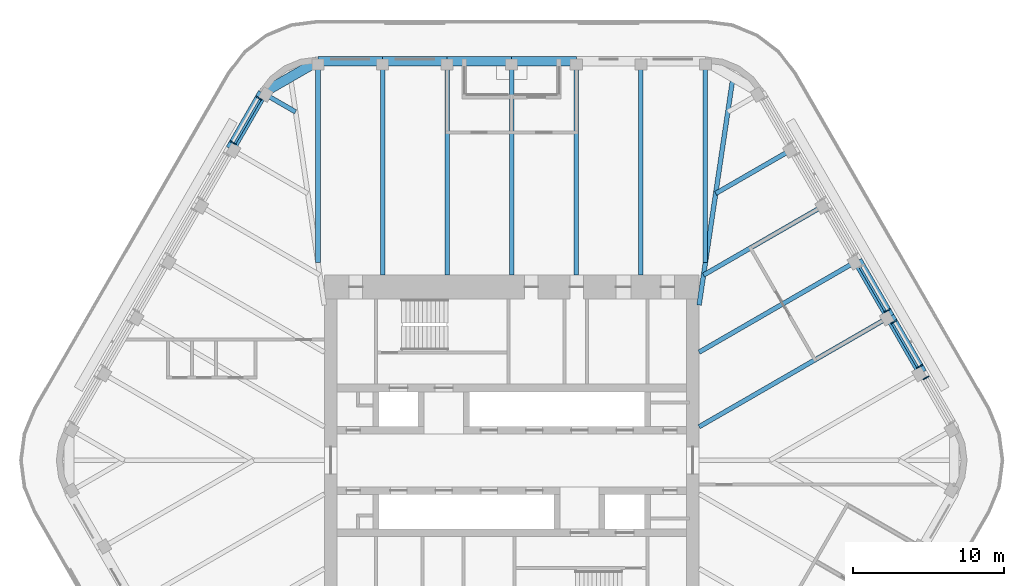
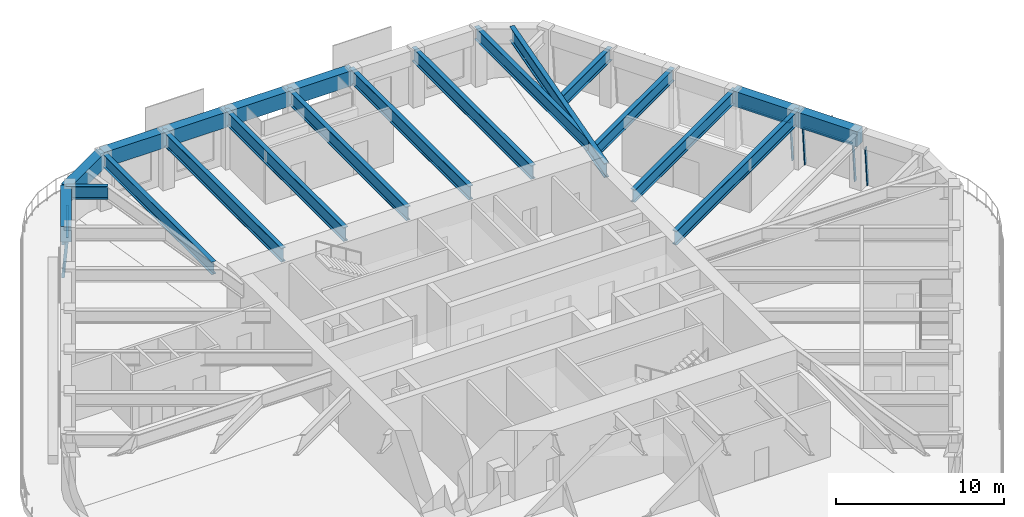
# One storey, part 9 of 20: 21 beams, 9 members, 4 elements without a shape of their own.
"""IFC4 building model written with IfcOpenShell, lengths in metres."""

from ifc_helpers import new_model, si_unit, direction, frame, origin, origin_2d, place, context, subcontext, project, spatial, rectangle, i_section, extrude, material, material_profile, profile_set, type_object, element, aggregate, save


model = new_model("IFC4")

# Units and contexts
model_context = context("Model", 3, precision=1e-05, world=origin(), true_north=direction((0.0, 1.0)))
body_context = subcontext(model_context, "Body", "Model", "MODEL_VIEW")
ifc_project = project(units=[si_unit("LENGTHUNIT", "METRE"), si_unit("AREAUNIT", "SQUARE_METRE"), si_unit("VOLUMEUNIT", "CUBIC_METRE"), si_unit("PLANEANGLEUNIT", "RADIAN"), si_unit("MASSUNIT", "GRAM", prefix="KILO")], contexts=[model_context])

# Site, building, storey
site_placement = place(None, origin())
site = spatial("IfcSite", under=ifc_project, at=site_placement, CompositionType="ELEMENT")
building_placement = place(site_placement, origin())
building = spatial("IfcBuilding", under=site, at=building_placement, Name="Tarfa Lantern Tower", CompositionType="ELEMENT")
storey_placement = place(building_placement, frame((0.0, 0.0, 378.699951171875)))
storey = spatial("IfcBuildingStorey", under=building, at=storey_placement, Name="L86", CompositionType="ELEMENT", Elevation=378.699951171875)

# Curtain wall, member
ifc_material_1 = material(Name="Aluminium framed curtain wall", Category="aluminium")
curtain_wall_type = type_object("IfcCurtainWallType", Name="CW4 CANTED GLAZING EXECUTIVE ZONE 2900", PredefinedType="USERDEFINED", material=ifc_material_1)
curtain_wall_1_placement = place(storey_placement, origin())
curtain_wall_1 = element("IfcCurtainWall", 1, at=curtain_wall_1_placement, inside=storey, type_object=curtain_wall_type, Name="CW4 NE L86", ObjectType="CURTAIN WALL", PredefinedType="USERDEFINED")
ifc_material_2 = material(Name="Aluminium mullion", Category="aluminium")
ifc_material_profile_1 = material_profile(ifc_material_2, rectangle(XDim=0.06494140625, YDim=0.199951171875, at=origin_2d()), Name="AL MULLION 65x200")
ifc_profile_set_1 = profile_set([ifc_material_profile_1], Name="Aluminium mullion")
member_type_1 = type_object("IfcMemberType", Name="CWM1 MULLION 65x200", PredefinedType="MULLION", material=ifc_profile_set_1)
member_1_placement = place(storey_placement, frame((27.577880859375, 5.53369140625, 0.0), z_axis=(-0.074393603155, -0.042941967097, 0.996303959277), x_axis=(0.499919672301, -0.866071776036, 0.0)))
member_1 = element("IfcMember", 2, at=member_1_placement, type_object=member_type_1, Name="CW4 mullion 2", PredefinedType="MULLION", context=body_context, shape_type="SweptSolid", body=[
    extrude(rectangle(XDim=0.06494140625, YDim=0.199951171875, at=origin_2d()), origin(), (0.0, 0.0, 1.0), 2.910888671875),
])
aggregate(curtain_wall_1, [member_1])

# Curtain wall, members
curtain_wall_2_placement = place(storey_placement, origin())
curtain_wall_2 = element("IfcCurtainWall", 3, at=curtain_wall_2_placement, inside=storey, type_object=curtain_wall_type, Name="CW4 NE L86", ObjectType="CURTAIN WALL", PredefinedType="USERDEFINED")
member_2_placement = place(storey_placement, frame((27.145263671875, 6.282958984375, 0.0), z_axis=(-0.074310195522, -0.042942234884, 0.996310172238), x_axis=(0.500342721131, -0.865827443207, 0.0)))
member_2 = element("IfcMember", 4, at=member_2_placement, type_object=member_type_1, Name="CW4 mullion 1", PredefinedType="MULLION", context=body_context, shape_type="SweptSolid", body=[
    extrude(rectangle(XDim=0.06494140625, YDim=0.199951171875, at=origin_2d()), origin(), (0.0, 0.0, 1.0), 2.910888671875),
])
member_3_placement = place(storey_placement, frame((25.436767578125, 9.2421875, 0.0), z_axis=(-0.074393603155, -0.042941967097, 0.996303959277), x_axis=(0.499919672301, -0.866071776036, 0.0)))
member_3 = element("IfcMember", 5, at=member_3_placement, type_object=member_type_1, Name="CW4 mullion 2", PredefinedType="MULLION", context=body_context, shape_type="SweptSolid", body=[
    extrude(rectangle(XDim=0.06494140625, YDim=0.199951171875, at=origin_2d()), origin(), (0.0, 0.0, 1.0), 2.910888671875),
])

# Curtain wall, member
curtain_wall_3_placement = place(storey_placement, origin())
curtain_wall_3 = element("IfcCurtainWall", 6, at=curtain_wall_3_placement, inside=storey, type_object=curtain_wall_type, Name="CW4 NE L86", ObjectType="CURTAIN WALL", PredefinedType="USERDEFINED")
member_4_placement = place(storey_placement, frame((25.00439453125, 9.9912109375, 0.0), z_axis=(-0.074393603155, -0.042941967097, 0.996303959277), x_axis=(0.499919672301, -0.866071776036, 0.0)))
member_4 = element("IfcMember", 7, at=member_4_placement, type_object=member_type_1, Name="CW4 mullion 1", PredefinedType="MULLION", context=body_context, shape_type="SweptSolid", body=[
    extrude(rectangle(XDim=0.06494140625, YDim=0.199951171875, at=origin_2d()), origin(), (0.0, 0.0, 1.0), 2.910888671875),
])

# Curtain wall, members
curtain_wall_4_placement = place(storey_placement, origin())
curtain_wall_4 = element("IfcCurtainWall", 8, at=curtain_wall_4_placement, inside=storey, type_object=curtain_wall_type, Name="CW4 NW L86", ObjectType="CURTAIN WALL", PredefinedType="USERDEFINED")
member_5_placement = place(storey_placement, frame((-16.872802734375, 24.075439453125, 0.0), z_axis=(0.074393603155, -0.042941967097, 0.996303959277), x_axis=(0.499919672301, 0.866071776036, 0.0)))
member_5 = element("IfcMember", 9, at=member_5_placement, type_object=member_type_1, Name="CW4 mullion 1", PredefinedType="MULLION", context=body_context, shape_type="SweptSolid", body=[
    extrude(rectangle(XDim=0.06494140625, YDim=0.199951171875, at=origin_2d()), origin(), (0.0, 0.0, 1.0), 2.910888671875),
])
member_6_placement = place(storey_placement, frame((-18.581298828125, 21.1162109375, 0.0), z_axis=(0.074393603155, -0.042941967097, 0.996303959277), x_axis=(0.499919672301, 0.866071776036, 0.0)))
member_6 = element("IfcMember", 10, at=member_6_placement, type_object=member_type_1, Name="CW4 mullion 2", PredefinedType="MULLION", context=body_context, shape_type="SweptSolid", body=[
    extrude(rectangle(XDim=0.06494140625, YDim=0.199951171875, at=origin_2d()), origin(), (0.0, 0.0, 1.0), 2.910888671875),
])

# Member
ifc_material_3 = material(Name="Aluminium transom", Category="aluminium")
ifc_material_profile_2 = material_profile(ifc_material_3, rectangle(XDim=0.14990234375, YDim=0.06494140625, at=origin_2d()), Name="AL TRANSOM 150x65")
ifc_profile_set_2 = profile_set([ifc_material_profile_2], Name="Aluminium transom")
member_type_2 = type_object("IfcMemberType", Name="CWT1 TRANSOM 150x65", PredefinedType="USERDEFINED", material=ifc_profile_set_2)
member_7_placement = place(storey_placement, frame((26.9150390625, 6.1875, 2.867431640625), z_axis=(-0.500016677412, 0.866015774862, 0.0), x_axis=(-0.866015774862, -0.500016677412, 0.0)))
member_7 = element("IfcMember", 11, at=member_7_placement, type_object=member_type_2, Name="CW4 transom 1.2", ObjectType="TRANSOM", PredefinedType="USERDEFINED", context=body_context, shape_type="SweptSolid", body=[
    extrude(rectangle(XDim=0.14990234375, YDim=0.06494140625, at=origin_2d()), origin(), (0.0, 0.0, 1.0), 3.35205078125),
])

aggregate(curtain_wall_2, [member_2, member_3, member_7])

member_8_placement = place(storey_placement, frame((24.77392578125, 9.895751953125, 2.867431640625), z_axis=(-0.500016677412, 0.866015774862, 0.0), x_axis=(-0.866015774862, -0.500016677412, 0.0)))
member_8 = element("IfcMember", 12, at=member_8_placement, type_object=member_type_2, Name="CW4 transom 1.2", ObjectType="TRANSOM", PredefinedType="USERDEFINED", context=body_context, shape_type="SweptSolid", body=[
    extrude(rectangle(XDim=0.14990234375, YDim=0.06494140625, at=origin_2d()), origin(), (0.0, 0.0, 1.0), 3.35205078125),
])

aggregate(curtain_wall_3, [member_4, member_8])

member_9_placement = place(storey_placement, frame((-16.675048828125, 23.923583984375, 2.867431640625), z_axis=(-0.500016677412, -0.866015774862, 0.0), x_axis=(0.866015774862, -0.500016677412, 0.0)))
member_9 = element("IfcMember", 13, at=member_9_placement, type_object=member_type_2, Name="CW4 transom 1.2", ObjectType="TRANSOM", PredefinedType="USERDEFINED", context=body_context, shape_type="SweptSolid", body=[
    extrude(rectangle(XDim=0.14990234375, YDim=0.06494140625, at=origin_2d()), origin(), (0.0, 0.0, 1.0), 3.35205078125),
])

aggregate(curtain_wall_4, [member_5, member_6, member_9])

# Beams
ifc_material_4 = material(Name="Concrete C80/95", Category="concrete")
ifc_material_profile_3 = material_profile(ifc_material_4, rectangle(XDim=0.64990234375, YDim=1.10009765625, at=origin_2d()), Name="RC 650x1100")
ifc_profile_set_3 = profile_set([ifc_material_profile_3], Name="Concrete C80/95")
beam_type_1 = type_object("IfcBeamType", Name="EB4 RC 650x1100", PredefinedType="SPANDREL", material=ifc_profile_set_3)
beam_1_placement = place(storey_placement, frame((27.205810546875, 5.818359375, 3.449951171875), z_axis=(-0.500026801138, 0.866009929587, 0.0), x_axis=(-0.866009929587, -0.500026801138, 0.0)))
element("IfcBeam", 14, at=beam_1_placement, inside=storey, type_object=beam_type_1, Name="Edge beam NE1", PredefinedType="SPANDREL", context=body_context, shape_type="SweptSolid", body=[
    extrude(rectangle(XDim=0.64990234375, YDim=1.10009765625, at=origin_2d()), origin(), (0.0, 0.0, 1.0), 4.281982421875),
])
beam_2_placement = place(storey_placement, frame((25.064697265625, 9.526611328125, 3.449951171875), z_axis=(-0.500002112793, 0.866024183959, 0.0), x_axis=(-0.866024183959, -0.500002112793, 0.0)))
element("IfcBeam", 15, at=beam_2_placement, inside=storey, type_object=beam_type_1, Name="Edge beam NE2", PredefinedType="SPANDREL", context=body_context, shape_type="SweptSolid", body=[
    extrude(rectangle(XDim=0.64990234375, YDim=1.10009765625, at=origin_2d()), origin(), (0.0, 0.0, 1.0), 4.2822265625),
])
for number, where, z_axis, x_axis, name in (
    (16, (4.281982421875, 26.469970703125, 3.449951171875), (-1.0, 0.0, 0.0), (0.0, -1.0, 0.0), "Edge beam N2"),
    (17, (0.0, 26.469970703125, 3.449951171875), (-1.0, 0.0, 0.0), (0.0, -1.0, 0.0), "Edge beam N3"),
    (18, (-4.281982421875, 26.469970703125, 3.449951171875), (-1.0, 0.0, 0.0), (0.0, -1.0, 0.0), "Edge beam N4"),
    (19, (-8.56396484375, 26.469970703125, 3.449951171875), (-1.0, 0.0, 0.0), (0.0, -1.0, 0.0), "Edge beam N5"),
):
    element("IfcBeam", number, at=place(storey_placement, frame(where, z_axis=z_axis, x_axis=x_axis)), inside=storey, type_object=beam_type_1, Name=name, PredefinedType="SPANDREL", context=body_context, shape_type="SweptSolid", body=[
        extrude(rectangle(XDim=0.64990234375, YDim=1.10009765625, at=origin_2d()), origin(), (0.0, 0.0, 1.0), 4.281982421875),
    ])
beam_3_placement = place(storey_placement, frame((-12.845947265625, 26.469970703125, 3.449951171875), z_axis=(-0.866048788483, -0.499959494327, 0.0), x_axis=(0.499959494327, -0.866048788483, 0.0)))
element("IfcBeam", 20, at=beam_3_placement, inside=storey, type_object=beam_type_1, Name="Edge beam N6", PredefinedType="SPANDREL", context=body_context, shape_type="SweptSolid", body=[
    extrude(rectangle(XDim=0.64990234375, YDim=1.10009765625, at=origin_2d()), origin(), (0.0, 0.0, 1.0), 4.219970703125),
])
beam_4_placement = place(storey_placement, frame((-16.500732421875, 24.360107421875, 3.449951171875), z_axis=(-0.499959351497, -0.866048870937, 0.0), x_axis=(0.866048870937, -0.499959351497, 0.0)))
element("IfcBeam", 21, at=beam_4_placement, inside=storey, type_object=beam_type_1, Name="Edge beam NW0", PredefinedType="SPANDREL", context=body_context, shape_type="SweptSolid", body=[
    extrude(rectangle(XDim=0.64990234375, YDim=1.10009765625, at=origin_2d()), origin(), (0.0, 0.0, 1.0), 4.281982421875),
])
ifc_material_5 = material(Name="Steel S460M", Category="steel")
ifc_material_profile_4 = material_profile(ifc_material_5, i_section(OverallWidth=0.302001953125, OverallDepth=1.008056640625, WebThickness=0.02099609375, FlangeThickness=0.0400390625, FilletRadius=0.030029296875, at=origin_2d()), Name="UB1016x305x349")
ifc_profile_set_4 = profile_set([ifc_material_profile_4], Name="Steel S460M")
beam_type_2 = type_object("IfcBeamType", Name="UB1016x305x349", PredefinedType="BEAM", material=ifc_profile_set_4)
beam_5_placement = place(storey_placement, frame((25.064697265625, 9.526611328125, 3.49609375), z_axis=(-0.866029591389, -0.499992746786, 0.0), x_axis=(0.499992746786, -0.866029591389, 0.0)))
element("IfcBeam", 22, at=beam_5_placement, inside=storey, type_object=beam_type_2, Name="Floor beam NE2", PredefinedType="BEAM", context=body_context, shape_type="SweptSolid", body=[
    extrude(i_section(OverallWidth=0.302001953125, OverallDepth=1.008056640625, WebThickness=0.02099609375, FlangeThickness=0.0400390625, FilletRadius=0.030029296875, at=origin_2d()), origin(), (0.0, 0.0, 1.0), 14.594970703125),
])
for number, where, z_axis, x_axis, name in (
    (23, (8.56396484375, 26.469970703125, 3.49609375), (0.0, -1.0, 0.0), (1.0, 0.0, 0.0), "Floor beam N1"),
    (24, (4.281982421875, 26.469970703125, 3.49609375), (0.0, -1.0, 0.0), (1.0, 0.0, 0.0), "Floor beam N2"),
    (25, (0.0, 26.469970703125, 3.49609375), (0.0, -1.0, 0.0), (1.0, 0.0, 0.0), "Floor beam N3"),
    (26, (-4.281982421875, 26.469970703125, 3.49609375), (0.0, -1.0, 0.0), (1.0, 0.0, 0.0), "Floor beam N4"),
    (27, (-8.56396484375, 26.469970703125, 3.49609375), (0.0, -1.0, 0.0), (1.0, 0.0, 0.0), "Floor beam N5"),
):
    element("IfcBeam", number, at=place(storey_placement, frame(where, z_axis=z_axis, x_axis=x_axis)), inside=storey, type_object=beam_type_2, Name=name, PredefinedType="BEAM", context=body_context, shape_type="SweptSolid", body=[
        extrude(i_section(OverallWidth=0.302001953125, OverallDepth=1.008056640625, WebThickness=0.02099609375, FlangeThickness=0.0400390625, FilletRadius=0.030029296875, at=origin_2d()), origin(), (0.0, 0.0, 1.0), 14.169921875),
    ])
ifc_material_profile_5 = material_profile(ifc_material_5, i_section(OverallWidth=0.30859375, OverallDepth=1.036376953125, WebThickness=0.030029296875, FlangeThickness=0.05419921875, FilletRadius=0.030029296875, at=origin_2d()), Name="UB1016x305x487")
ifc_profile_set_5 = profile_set([ifc_material_profile_5], Name="Steel S460M")
beam_type_3 = type_object("IfcBeamType", Name="UB1016x305x487", PredefinedType="BEAM", material=ifc_profile_set_5)
beam_6_placement = place(storey_placement, frame((12.425048828125, 10.300048828125, 3.48193359375), z_axis=(0.147127069073, 0.989117599452, 0.0), x_axis=(-0.989117599452, 0.147127069073, 0.0)))
element("IfcBeam", 28, at=beam_6_placement, inside=storey, type_object=beam_type_3, Name="Hip girder NE", PredefinedType="BEAM", context=body_context, shape_type="SweptSolid", body=[
    extrude(i_section(OverallWidth=0.30859375, OverallDepth=1.036376953125, WebThickness=0.030029296875, FlangeThickness=0.05419921875, FilletRadius=0.030029296875, at=origin_2d()), origin(), (0.0, 0.0, 1.0), 15.28125),
])
ifc_material_profile_6 = material_profile(ifc_material_5, i_section(OverallWidth=0.305419921875, OverallDepth=0.91845703125, WebThickness=0.017333984375, FlangeThickness=0.02783203125, FilletRadius=0.01904296875, at=origin_2d()), Name="UB914x305x253")
ifc_profile_set_6 = profile_set([ifc_material_profile_6], Name="Steel S460M")
beam_type_4 = type_object("IfcBeamType", Name="UB914x305x253", PredefinedType="BEAM", material=ifc_profile_set_6)
beam_7_placement = place(storey_placement, frame((22.923583984375, 13.235107421875, 3.540771484375), z_axis=(-0.86601856927, -0.500011837539, 0.0), x_axis=(0.500011837539, -0.86601856927, 0.0)))
element("IfcBeam", 29, at=beam_7_placement, inside=storey, type_object=beam_type_4, Name="Floor beam NE3", PredefinedType="BEAM", context=body_context, shape_type="SweptSolid", body=[
    extrude(i_section(OverallWidth=0.305419921875, OverallDepth=0.91845703125, WebThickness=0.017333984375, FlangeThickness=0.02783203125, FilletRadius=0.01904296875, at=origin_2d()), origin(), (0.0, 0.0, 1.0), 12.122802734375),
])
beam_8_placement = place(storey_placement, frame((20.78271484375, 16.943359375, 3.540771484375), z_axis=(-0.866021806508, -0.500006230613, 0.0), x_axis=(0.500006230613, -0.866021806508, 0.0)))
element("IfcBeam", 30, at=beam_8_placement, inside=storey, type_object=beam_type_4, Name="Floor beam NE4", PredefinedType="BEAM", context=body_context, shape_type="SweptSolid", body=[
    extrude(i_section(OverallWidth=0.305419921875, OverallDepth=0.91845703125, WebThickness=0.017333984375, FlangeThickness=0.02783203125, FilletRadius=0.01904296875, at=origin_2d()), origin(), (0.0, 0.0, 1.0), 9.30908203125),
])
beam_9_placement = place(storey_placement, frame((18.6416015625, 20.651611328125, 3.540771484375), z_axis=(-0.866024549157, -0.500001480256, 0.0), x_axis=(0.500001480256, -0.866024549157, 0.0)))
element("IfcBeam", 31, at=beam_9_placement, inside=storey, type_object=beam_type_4, Name="Floor beam NE5", PredefinedType="BEAM", context=body_context, shape_type="SweptSolid", body=[
    extrude(i_section(OverallWidth=0.305419921875, OverallDepth=0.91845703125, WebThickness=0.017333984375, FlangeThickness=0.02783203125, FilletRadius=0.01904296875, at=origin_2d()), origin(), (0.0, 0.0, 1.0), 5.90771484375),
])
for number, where, z_axis, x_axis, name in (
    (32, (12.845947265625, 26.469970703125, 3.540771484375), (0.0, -1.0, 0.0), (1.0, 0.0, 0.0), "Floor beam N0"),
    (33, (-12.845947265625, 26.469970703125, 3.540771484375), (0.0, -1.0, 0.0), (1.0, 0.0, 0.0), "Floor beam N6"),
):
    element("IfcBeam", number, at=place(storey_placement, frame(where, z_axis=z_axis, x_axis=x_axis)), inside=storey, type_object=beam_type_4, Name=name, PredefinedType="BEAM", context=body_context, shape_type="SweptSolid", body=[
        extrude(i_section(OverallWidth=0.305419921875, OverallDepth=0.91845703125, WebThickness=0.017333984375, FlangeThickness=0.02783203125, FilletRadius=0.01904296875, at=origin_2d()), origin(), (0.0, 0.0, 1.0), 13.33935546875),
    ])
beam_10_placement = place(storey_placement, frame((-16.500732421875, 24.360107421875, 3.540771484375), z_axis=(0.865992557167, -0.500056887695, 0.0), x_axis=(0.500056887695, 0.865992557167, 0.0)))
element("IfcBeam", 34, at=beam_10_placement, inside=storey, type_object=beam_type_4, Name="Floor beam NW0", PredefinedType="BEAM", context=body_context, shape_type="SweptSolid", body=[
    extrude(i_section(OverallWidth=0.305419921875, OverallDepth=0.91845703125, WebThickness=0.017333984375, FlangeThickness=0.02783203125, FilletRadius=0.01904296875, at=origin_2d()), origin(), (0.0, 0.0, 1.0), 2.506591796875),
])

save(model, "model.ifc")
